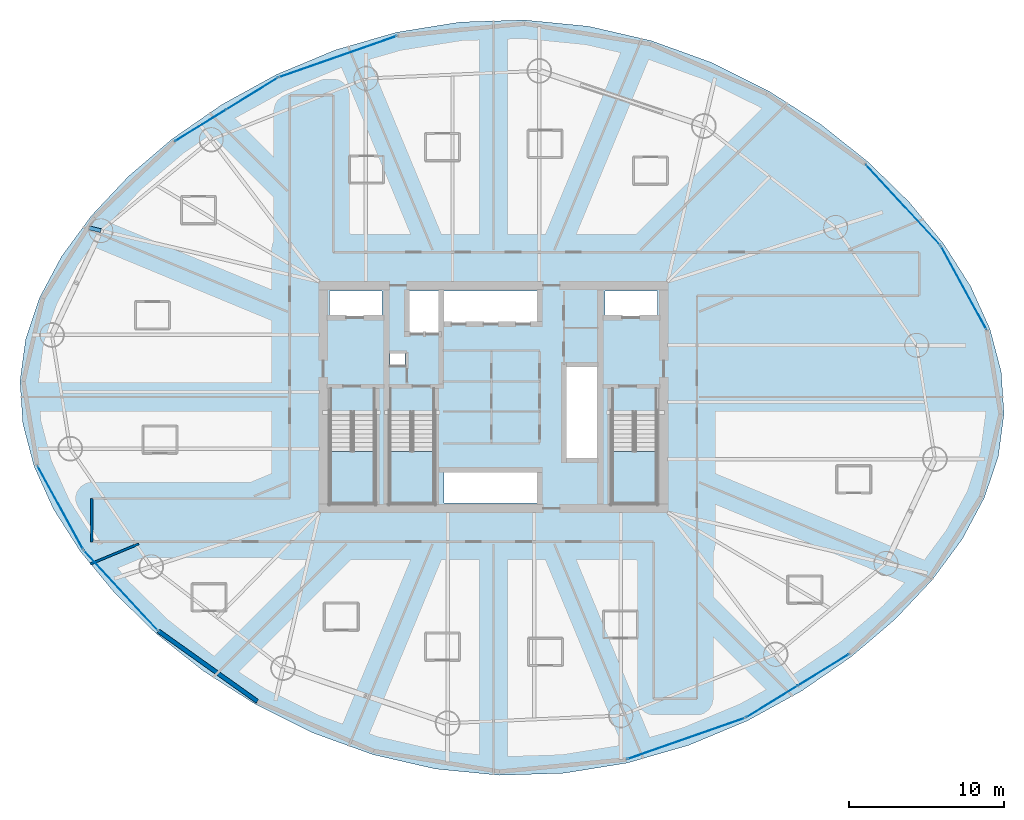
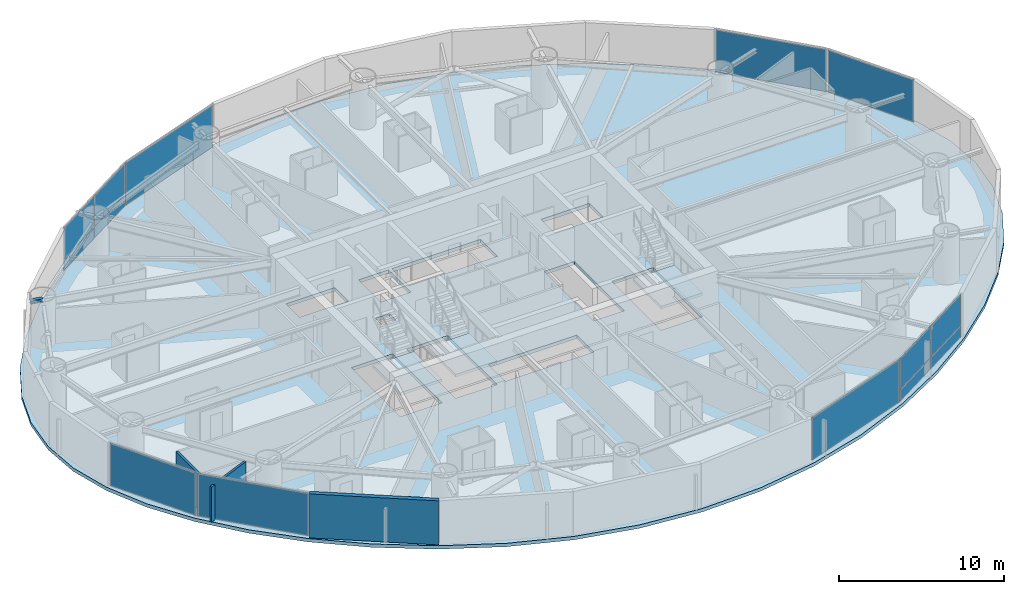
# One storey, part 17 of 27: 14 plates, 4 slabs, 3 walls, 1 beam, 11 elements without a shape of their own.
"""IFC4 building model written with IfcOpenShell, lengths in metres."""

import ifcopenshell
import ifcopenshell.guid

model = None  # the IFC model being written
_history = None  # IfcOwnerHistory: only IFC2X3 demands one
_inside = {}  # id of a spatial element -> (the spatial element, [elements in it])
_under = {}  # id of a project, library or spatial element -> (it, [spatial elements below it])
_declared = {}  # id of a project -> (the project, [libraries it declares])
_typed = {}  # id of a type object -> (the type object, [elements of that type])
_made_of = {}  # id of a material, layer set ... -> (it, [elements and type objects made of it])


def new_model(schema):
    """Start an empty IFC model of exactly this schema.

    Asked for "IFC4X3", IfcOpenShell would pick the latest addendum, in which some entities
    have other attributes; the version numbers below select the first issue.
    IFC2X3 requires an IfcOwnerHistory on every rooted entity: one is made here for all.
    """
    global model, _history
    if schema == "IFC4X3":
        model = ifcopenshell.file(schema_version=(4, 3, 0, 0))
    else:
        model = ifcopenshell.file(schema=schema)
    _inside.clear()
    _under.clear()
    _declared.clear()
    _typed.clear()
    _made_of.clear()
    _history = None
    if model.schema == "IFC2X3":
        org = make("IfcOrganization", Name="unknown")
        user = make(
            "IfcPersonAndOrganization",
            ThePerson=make("IfcPerson", FamilyName="unknown"),
            TheOrganization=org,
        )
        app = make(
            "IfcApplication",
            ApplicationDeveloper=org,
            Version="unknown",
            ApplicationFullName="unknown",
            ApplicationIdentifier="unknown",
        )
        _history = make(
            "IfcOwnerHistory",
            OwningUser=user,
            OwningApplication=app,
            ChangeAction="ADDED",
            CreationDate=0,
        )
    return model


def make(cls, **values):
    """One entity of the class cls with the attributes given. An attribute that is None is left unset."""
    return model.create_entity(
        cls, **{name: value for name, value in values.items() if value is not None}
    )


def rooted(cls, **values):
    """An entity with a GlobalId (a new one), such as an element, a storey or a relation."""
    return make(cls, GlobalId=ifcopenshell.guid.new(), OwnerHistory=_history, **values)


def si_unit(unit_type, name, prefix=None):
    """IfcSIUnit, for example si_unit("LENGTHUNIT", "METRE", prefix="MILLI")."""
    return make("IfcSIUnit", UnitType=unit_type, Prefix=prefix, Name=name)


def assignment(units):
    """IfcUnitAssignment: the units of a project."""
    return None if units is None else make("IfcUnitAssignment", Units=units)


def point(xyz):
    """IfcCartesianPoint."""
    return None if xyz is None else make("IfcCartesianPoint", Coordinates=xyz)


def direction(xyz):
    """IfcDirection."""
    return None if xyz is None else make("IfcDirection", DirectionRatios=xyz)


def frame(location, z_axis=None, x_axis=None):
    """IfcAxis2Placement3D, a coordinate frame: its origin and axes. An axis left out is left unset."""
    return make(
        "IfcAxis2Placement3D",
        Location=point(location),
        Axis=direction(z_axis),
        RefDirection=direction(x_axis),
    )


def frame_2d(location, x_axis=None):
    """IfcAxis2Placement2D, a coordinate frame in the plane: its origin and x axis."""
    return make(
        "IfcAxis2Placement2D", Location=point(location), RefDirection=direction(x_axis)
    )


def origin():
    """The frame at (0, 0, 0) with its axes left unset."""
    return frame((0.0, 0.0, 0.0))


def origin_2d():
    """The frame at (0, 0) in the plane with its x axis left unset."""
    return frame_2d((0.0, 0.0))


def place(relative_to, where):
    """IfcLocalPlacement: puts the frame where relative to a parent placement (None: the world)."""
    return make(
        "IfcLocalPlacement", PlacementRelTo=relative_to, RelativePlacement=where
    )


def context(
    kind, dimensions, precision=None, world=None, true_north=None, identifier=None
):
    """IfcGeometricRepresentationContext, for example the 3D "Model" context."""
    return make(
        "IfcGeometricRepresentationContext",
        ContextIdentifier=identifier,
        ContextType=kind,
        CoordinateSpaceDimension=dimensions,
        Precision=precision,
        WorldCoordinateSystem=world,
        TrueNorth=true_north,
    )


def subcontext(parent, identifier, kind, view, scale=None):
    """IfcGeometricRepresentationSubContext, for example "Body" below "Model"."""
    return make(
        "IfcGeometricRepresentationSubContext",
        ContextIdentifier=identifier,
        ContextType=kind,
        ParentContext=parent,
        TargetScale=scale,
        TargetView=view,
    )


def project(units=None, contexts=None):
    """IfcProject with its units and contexts."""
    return rooted(
        "IfcProject",
        Name="project",
        RepresentationContexts=contexts,
        UnitsInContext=assignment(units),
    )


def spatial(cls, under=None, at=None, **own):
    """A site, building, storey or space (cls), placed at a placement, below another one or the project."""
    s = rooted(cls, ObjectPlacement=at, **own)
    if under is not None:
        _under.setdefault(under.id(), (under, []))[1].append(s)
    return s


def polyline(points):
    """IfcPolyline through the points."""
    return make("IfcPolyline", Points=[point(p) for p in points])


def profile(cls, at=None, kind="AREA", **sizes):
    """A parametric profile (cls). Its sizes go by their IFC names, for example OverallWidth=200.0."""
    return make(cls, ProfileType=kind, Position=at, **sizes)


def rectangle(**sizes):
    """IfcRectangleProfileDef."""
    return profile("IfcRectangleProfileDef", **sizes)


def i_section(**sizes):
    """IfcIShapeProfileDef."""
    return profile("IfcIShapeProfileDef", **sizes)


def outline(outer, holes=None, kind="AREA"):
    """IfcArbitraryClosedProfileDef: a profile drawn as a closed curve; with holes, ...WithVoids."""
    if holes is None:
        return make("IfcArbitraryClosedProfileDef", ProfileType=kind, OuterCurve=outer)
    return make(
        "IfcArbitraryProfileDefWithVoids",
        ProfileType=kind,
        OuterCurve=outer,
        InnerCurves=holes,
    )


def extrude(swept, where, along, depth):
    """IfcExtrudedAreaSolid: the profile swept, set in the frame where, extruded along a direction by depth."""
    return make(
        "IfcExtrudedAreaSolid",
        SweptArea=swept,
        Position=where,
        ExtrudedDirection=direction(along),
        Depth=depth,
    )


def shape(context_of_items, identifier, shape_type, items):
    """IfcShapeRepresentation: the items that make up one representation, for example the "Body"."""
    return make(
        "IfcShapeRepresentation",
        ContextOfItems=context_of_items,
        RepresentationIdentifier=identifier,
        RepresentationType=shape_type,
        Items=items,
    )


def material(Name=None, Category=None):
    """IfcMaterial."""
    return make("IfcMaterial", Name=Name, Category=Category)


def layer(
    of_material, thickness, ventilated=None, Name=None, Category=None, Priority=None
):
    """IfcMaterialLayer: one layer of a wall or slab, of a material (None: an air gap)."""
    return make(
        "IfcMaterialLayer",
        Material=of_material,
        LayerThickness=thickness,
        IsVentilated=ventilated,
        Name=Name,
        Category=Category,
        Priority=Priority,
    )


def layer_set(layers, Name=None):
    """IfcMaterialLayerSet."""
    return make("IfcMaterialLayerSet", MaterialLayers=layers, LayerSetName=Name)


def material_profile(
    of_material, cross_section, Name=None, Category=None, Priority=None
):
    """IfcMaterialProfile: a cross section and its material."""
    return make(
        "IfcMaterialProfile",
        Name=Name,
        Material=of_material,
        Profile=cross_section,
        Priority=Priority,
        Category=Category,
    )


def profile_set(profiles, Name=None, composite=None):
    """IfcMaterialProfileSet."""
    return make(
        "IfcMaterialProfileSet",
        Name=Name,
        MaterialProfiles=profiles,
        CompositeProfile=composite,
    )


def made_of(thing, what):
    """Note that an element or type object is made of a material, layer set ...; save() writes the relation."""
    if what is not None:
        _made_of.setdefault(what.id(), (what, []))[1].append(thing)
    return thing


def type_object(cls, material=None, **own):
    """A type object (cls), such as IfcWallType, which elements share."""
    return made_of(rooted(cls, **own), material)


def element(
    cls,
    number,
    at=None,
    inside=None,
    cuts=None,
    type_object=None,
    material=None,
    context=None,
    identifier="Body",
    shape_type=None,
    held_by="IfcProductDefinitionShape",
    body=None,
    shapes=None,
    **own,
):
    """One element of the class cls, such as IfcWall. Its Tag is "e" and its number.

    at: its placement. inside: the storey or other place that contains it. cuts: it is an
    opening in that element (IfcRelVoidsElement). A single representation is given by context,
    identifier, shape_type and body (its items); several are given by shapes. held_by: the class
    of the entity that holds the representations. save() writes the other relations.
    """
    e = rooted(cls, Tag="e%d" % number, ObjectPlacement=at, **own)
    if body is not None:
        shapes = [shape(context, identifier, shape_type, body)]
    if shapes is not None:
        e.Representation = make(held_by, Representations=shapes)
    if inside is not None:
        _inside.setdefault(inside.id(), (inside, []))[1].append(e)
    if cuts is not None:
        rooted(
            "IfcRelVoidsElement", RelatingBuildingElement=cuts, RelatedOpeningElement=e
        )
    if type_object is not None:
        _typed.setdefault(type_object.id(), (type_object, []))[1].append(e)
    return made_of(e, material)


def aggregate(whole, parts):
    """IfcRelAggregates: a whole, such as a stair, and the parts it consists of."""
    return rooted("IfcRelAggregates", RelatingObject=whole, RelatedObjects=parts)


def save(model, path):
    """Write the relations noted so far, then the file.

    IfcRelAggregates (storeys below a building ...), IfcRelContainedInSpatialStructure (elements
    in a storey), IfcRelDefinesByType, IfcRelAssociatesMaterial and IfcRelDeclares: one each for
    every whole, place, type object, material and project.
    """
    for whole, parts in _under.values():
        aggregate(whole, parts)
    for where, things in _inside.values():
        rooted(
            "IfcRelContainedInSpatialStructure",
            RelatedElements=things,
            RelatingStructure=where,
        )
    for kind, things in _typed.values():
        rooted("IfcRelDefinesByType", RelatedObjects=things, RelatingType=kind)
    for what, things in _made_of.values():
        rooted("IfcRelAssociatesMaterial", RelatedObjects=things, RelatingMaterial=what)
    for by, libraries in _declared.values():
        rooted("IfcRelDeclares", RelatingContext=by, RelatedDefinitions=libraries)
    model.write(path)


model = new_model("IFC4")

# Units and contexts
model_context = context("Model", 3, precision=1e-05, world=origin(), true_north=direction((0.0, 1.0)))
body_context = subcontext(model_context, "Body", "Model", "MODEL_VIEW")
ifc_project = project(units=[si_unit("LENGTHUNIT", "METRE"), si_unit("AREAUNIT", "SQUARE_METRE"), si_unit("VOLUMEUNIT", "CUBIC_METRE"), si_unit("PLANEANGLEUNIT", "RADIAN"), si_unit("MASSUNIT", "GRAM", prefix="KILO")], contexts=[model_context])

# Site, building, storey
site_placement = place(None, origin())
site = spatial("IfcSite", under=ifc_project, at=site_placement, CompositionType="ELEMENT")
building_placement = place(site_placement, origin())
building = spatial("IfcBuilding", under=site, at=building_placement, Name="Bramvorn Convention Spire", CompositionType="ELEMENT")
storey_placement = place(building_placement, frame((0.0, 0.0, 44.89990234375)))
storey = spatial("IfcBuildingStorey", under=building, at=storey_placement, Name="L08", CompositionType="ELEMENT", Elevation=44.89990234375)

# Beam
ifc_material_1 = material(Name="Steel CSA G40.21 Grade 350 (350W)", Category="steel")
ifc_material_profile = material_profile(ifc_material_1, i_section(OverallWidth=0.25390625, OverallDepth=0.2529296875, WebThickness=0.008544921875, FlangeThickness=0.01416015625, FilletRadius=0.011962890625, at=origin_2d()))
ifc_profile_set = profile_set([ifc_material_profile], Name="Steel CSA G40.21 Grade 350 (350W) - W250X73")
beam_type = type_object("IfcBeamType", Name="BM-W250X73", PredefinedType="BEAM", material=ifc_profile_set)
beam_placement = place(storey_placement, frame((12.64111328125, 36.746337890625, 3.12353515625), z_axis=(-0.973811938355, 0.227355027914, 0.0), x_axis=(-0.227355027914, -0.973811938355, 0.0)))
element("IfcBeam", 1, at=beam_placement, inside=storey, type_object=beam_type, Name="L08 slab-edge cantilever tip beam MC08", PredefinedType="BEAM", context=body_context, shape_type="SweptSolid", body=[
    extrude(i_section(OverallWidth=0.25390625, OverallDepth=0.2529296875, WebThickness=0.008544921875, FlangeThickness=0.01416015625, FilletRadius=0.011962890625, at=origin_2d()), origin(), (0.0, 0.0, 1.0), 0.800048828125),
])

# Curtain wall, plate
ifc_material_2 = material(Name="Anodised Bronze Unitised Curtain Wall", Category="aluminium")
ifc_layer_1 = layer(ifc_material_2, 0.179931640625)
ifc_layer_set_1 = layer_set([ifc_layer_1], Name="Anodised Bronze Unitised Curtain Wall - CW-HTL-FRIT")
curtain_wall_type = type_object("IfcCurtainWallType", Name="CW-HTL-FRIT", PredefinedType="USERDEFINED", material=ifc_layer_set_1)
curtain_wall_1_placement = place(storey_placement, origin())
curtain_wall_1 = element("IfcCurtainWall", 2, at=curtain_wall_1_placement, inside=storey, type_object=curtain_wall_type, Name="L08 fritted glass curtain wall 02", ObjectType="UNITISED CURTAIN WALL", PredefinedType="USERDEFINED")
ifc_material_3 = material(Name="Laminated Low-E Glass (Triple IGU Bronze Ceramic Frit 35%)", Category="glass")
ifc_layer_2 = layer(ifc_material_3, 0.035888671875)
ifc_layer_set_2 = layer_set([ifc_layer_2], Name="Laminated Low-E Glass (Triple IGU Bronze Ceramic Frit 35%) - PNL-IGU-1")
plate_type = type_object("IfcPlateType", Name="PNL-IGU-1", PredefinedType="CURTAIN_PANEL", material=ifc_layer_set_2)
plate_1_placement = place(storey_placement, frame((68.37744140625, 33.0634765625, 0.06005859375), z_axis=(0.0, 0.0, 1.0), x_axis=(0.479005513674, -0.877811892076, 0.0)))
plate_1 = element("IfcPlate", 3, at=plate_1_placement, type_object=plate_type, Name="CW2 panel 1.1", PredefinedType="CURTAIN_PANEL", context=body_context, shape_type="SweptSolid", body=[
    extrude(rectangle(XDim=6.092041015625, YDim=0.028076171875, at=origin_2d()), origin(), (0.0, 0.0, 1.0), 3.1298828125),
])
aggregate(curtain_wall_1, [plate_1])

curtain_wall_2_placement = place(storey_placement, origin())
curtain_wall_2 = element("IfcCurtainWall", 4, at=curtain_wall_2_placement, inside=storey, type_object=curtain_wall_type, Name="L08 fritted glass curtain wall 03", ObjectType="UNITISED CURTAIN WALL", PredefinedType="USERDEFINED")
plate_2_placement = place(storey_placement, frame((64.4658203125, 38.4130859375, 0.06005859375), z_axis=(0.0, 0.0, 1.0), x_axis=(0.678632393484, -0.734478096687, 0.0)))
plate_2 = element("IfcPlate", 5, at=plate_2_placement, type_object=plate_type, Name="CW2 panel 1.1", PredefinedType="CURTAIN_PANEL", context=body_context, shape_type="SweptSolid", body=[
    extrude(rectangle(XDim=7.02294921875, YDim=0.028076171875, at=origin_2d()), origin(), (0.0, 0.0, 1.0), 3.1298828125),
])
aggregate(curtain_wall_2, [plate_2])

curtain_wall_3_placement = place(storey_placement, origin())
curtain_wall_3 = element("IfcCurtainWall", 6, at=curtain_wall_3_placement, inside=storey, type_object=curtain_wall_type, Name="L08 fritted glass curtain wall 08", ObjectType="UNITISED CURTAIN WALL", PredefinedType="USERDEFINED")
plate_3_placement = place(storey_placement, frame((27.94140625, 47.981689453125, 0.06005859375), z_axis=(0.0, 0.0, 1.0), x_axis=(0.94365363359, 0.330934766704, 0.0)))
plate_3 = element("IfcPlate", 7, at=plate_3_placement, type_object=plate_type, Name="CW2 panel 1.1", PredefinedType="CURTAIN_PANEL", context=body_context, shape_type="SweptSolid", body=[
    extrude(rectangle(XDim=8.05078125, YDim=0.028076171875, at=origin_2d()), origin(), (0.0, 0.0, 1.0), 3.1298828125),
])
aggregate(curtain_wall_3, [plate_3])

# Curtain wall, plates
curtain_wall_4_placement = place(storey_placement, origin())
curtain_wall_4 = element("IfcCurtainWall", 8, at=curtain_wall_4_placement, inside=storey, type_object=curtain_wall_type, Name="L08 fritted glass curtain wall 09", ObjectType="UNITISED CURTAIN WALL", PredefinedType="USERDEFINED")
plate_4_placement = place(storey_placement, frame((19.0888671875, 43.552978515625, 0.06005859375), z_axis=(0.0, 0.0, 1.0), x_axis=(0.851562452437, 0.52425317319, 0.0)))
plate_4 = element("IfcPlate", 9, at=plate_4_placement, type_object=plate_type, Name="CW2 panel 1.1", PredefinedType="CURTAIN_PANEL", context=body_context, shape_type="SweptSolid", body=[
    extrude(rectangle(XDim=3.83251953125, YDim=0.028076171875, at=origin_2d()), origin(), (0.0, 0.0, 1.0), 0.81005859375),
])
plate_5_placement = place(storey_placement, frame((19.0888671875, 43.552978515625, 0.93017578125), z_axis=(0.0, 0.0, 1.0), x_axis=(0.851562452437, 0.52425317319, 0.0)))
plate_5 = element("IfcPlate", 10, at=plate_5_placement, type_object=plate_type, Name="CW2 panel 1.2", PredefinedType="CURTAIN_PANEL", context=body_context, shape_type="SweptSolid", body=[
    extrude(rectangle(XDim=3.83251953125, YDim=0.028076171875, at=origin_2d()), origin(), (0.0, 0.0, 1.0), 2.260009765625),
])
plate_6_placement = place(storey_placement, frame((22.4033203125, 45.593505859375, 0.06005859375), z_axis=(0.0, 0.0, 1.0), x_axis=(0.851562452437, 0.52425317319, 0.0)))
plate_6 = element("IfcPlate", 11, at=plate_6_placement, type_object=plate_type, Name="CW2 panel 2.1", PredefinedType="CURTAIN_PANEL", context=body_context, shape_type="SweptSolid", body=[
    extrude(rectangle(XDim=3.83251953125, YDim=0.028076171875, at=origin_2d()), origin(), (0.0, 0.0, 1.0), 0.81005859375),
])
plate_7_placement = place(storey_placement, frame((22.4033203125, 45.593505859375, 0.93017578125), z_axis=(0.0, 0.0, 1.0), x_axis=(0.851562452437, 0.52425317319, 0.0)))
plate_7 = element("IfcPlate", 12, at=plate_7_placement, type_object=plate_type, Name="CW2 panel 2.2", PredefinedType="CURTAIN_PANEL", context=body_context, shape_type="SweptSolid", body=[
    extrude(rectangle(XDim=3.83251953125, YDim=0.028076171875, at=origin_2d()), origin(), (0.0, 0.0, 1.0), 2.260009765625),
])
aggregate(curtain_wall_4, [plate_4, plate_5, plate_6, plate_7])

# Curtain wall, plate
curtain_wall_5_placement = place(storey_placement, origin())
curtain_wall_5 = element("IfcCurtainWall", 13, at=curtain_wall_5_placement, inside=storey, type_object=curtain_wall_type, Name="L08 fritted glass curtain wall 14", ObjectType="UNITISED CURTAIN WALL", PredefinedType="USERDEFINED")
plate_8_placement = place(storey_placement, frame((10.021240234375, 18.85693359375, 0.06005859375), z_axis=(0.0, 0.0, 1.0), x_axis=(-0.479017917731, 0.877805123301, 0.0)))
plate_8 = element("IfcPlate", 14, at=plate_8_placement, type_object=plate_type, Name="CW2 panel 1.1", PredefinedType="CURTAIN_PANEL", context=body_context, shape_type="SweptSolid", body=[
    extrude(rectangle(XDim=6.092041015625, YDim=0.028076171875, at=origin_2d()), origin(), (0.0, 0.0, 1.0), 3.1298828125),
])
aggregate(curtain_wall_5, [plate_8])

curtain_wall_6_placement = place(storey_placement, origin())
curtain_wall_6 = element("IfcCurtainWall", 15, at=curtain_wall_6_placement, inside=storey, type_object=curtain_wall_type, Name="L08 fritted glass curtain wall 15", ObjectType="UNITISED CURTAIN WALL", PredefinedType="USERDEFINED")
plate_9_placement = place(storey_placement, frame((13.932861328125, 13.50732421875, 0.06005859375), z_axis=(0.0, 0.0, 1.0), x_axis=(-0.678632393484, 0.734478096687, 0.0)))
plate_9 = element("IfcPlate", 16, at=plate_9_placement, type_object=plate_type, Name="CW2 panel 1.1", PredefinedType="CURTAIN_PANEL", context=body_context, shape_type="SweptSolid", body=[
    extrude(rectangle(XDim=7.02294921875, YDim=0.028076171875, at=origin_2d()), origin(), (0.0, 0.0, 1.0), 3.1298828125),
])
aggregate(curtain_wall_6, [plate_9])

curtain_wall_7_placement = place(storey_placement, origin())
curtain_wall_7 = element("IfcCurtainWall", 17, at=curtain_wall_7_placement, inside=storey, type_object=curtain_wall_type, Name="L08 fritted glass curtain wall 20", ObjectType="UNITISED CURTAIN WALL", PredefinedType="USERDEFINED")
plate_10_placement = place(storey_placement, frame((50.457275390625, 3.93896484375, 0.06005859375), z_axis=(0.0, 0.0, 1.0), x_axis=(-0.943649811538, -0.330945665004, 0.0)))
plate_10 = element("IfcPlate", 18, at=plate_10_placement, type_object=plate_type, Name="CW2 panel 1.1", PredefinedType="CURTAIN_PANEL", context=body_context, shape_type="SweptSolid", body=[
    extrude(rectangle(XDim=8.05078125, YDim=0.028076171875, at=origin_2d()), origin(), (0.0, 0.0, 1.0), 3.1298828125),
])
aggregate(curtain_wall_7, [plate_10])

# Curtain wall, plates
curtain_wall_8_placement = place(storey_placement, origin())
curtain_wall_8 = element("IfcCurtainWall", 19, at=curtain_wall_8_placement, inside=storey, type_object=curtain_wall_type, Name="L08 fritted glass curtain wall 21", ObjectType="UNITISED CURTAIN WALL", PredefinedType="USERDEFINED")
plate_11_placement = place(storey_placement, frame((59.309814453125, 8.367431640625, 0.06005859375), z_axis=(0.0, 0.0, 1.0), x_axis=(-0.851568143204, -0.524243929369, 0.0)))
plate_11 = element("IfcPlate", 20, at=plate_11_placement, type_object=plate_type, Name="CW2 panel 1.1", PredefinedType="CURTAIN_PANEL", context=body_context, shape_type="SweptSolid", body=[
    extrude(rectangle(XDim=3.83251953125, YDim=0.028076171875, at=origin_2d()), origin(), (0.0, 0.0, 1.0), 0.81005859375),
])
plate_12_placement = place(storey_placement, frame((59.309814453125, 8.367431640625, 0.93017578125), z_axis=(0.0, 0.0, 1.0), x_axis=(-0.851568143204, -0.524243929369, 0.0)))
plate_12 = element("IfcPlate", 21, at=plate_12_placement, type_object=plate_type, Name="CW2 panel 1.2", PredefinedType="CURTAIN_PANEL", context=body_context, shape_type="SweptSolid", body=[
    extrude(rectangle(XDim=3.83251953125, YDim=0.028076171875, at=origin_2d()), origin(), (0.0, 0.0, 1.0), 2.260009765625),
])
plate_13_placement = place(storey_placement, frame((55.995361328125, 6.326904296875, 0.06005859375), z_axis=(0.0, 0.0, 1.0), x_axis=(-0.851568143204, -0.524243929369, 0.0)))
plate_13 = element("IfcPlate", 22, at=plate_13_placement, type_object=plate_type, Name="CW2 panel 2.1", PredefinedType="CURTAIN_PANEL", context=body_context, shape_type="SweptSolid", body=[
    extrude(rectangle(XDim=3.83251953125, YDim=0.028076171875, at=origin_2d()), origin(), (0.0, 0.0, 1.0), 0.81005859375),
])
plate_14_placement = place(storey_placement, frame((55.995361328125, 6.326904296875, 0.93017578125), z_axis=(0.0, 0.0, 1.0), x_axis=(-0.851568143204, -0.524243929369, 0.0)))
plate_14 = element("IfcPlate", 23, at=plate_14_placement, type_object=plate_type, Name="CW2 panel 2.2", PredefinedType="CURTAIN_PANEL", context=body_context, shape_type="SweptSolid", body=[
    extrude(rectangle(XDim=3.83251953125, YDim=0.028076171875, at=origin_2d()), origin(), (0.0, 0.0, 1.0), 2.260009765625),
])
aggregate(curtain_wall_8, [plate_11, plate_12, plate_13, plate_14])

# Stair, slab
ifc_material_4 = material(Name="Concrete C40/50 Precast Stair", Category="concrete")
stair_type = type_object("IfcStairType", Name="ST-TOWER-1550", PredefinedType="HALF_TURN_STAIR", material=ifc_material_4)
stair_1_placement = place(storey_placement, origin())
stair_1 = element("IfcStair", 24, at=stair_1_placement, inside=storey, type_object=stair_type, Name="L08 Protected Exit Stair ST1", PredefinedType="HALF_TURN_STAIR")
ifc_material_5 = material(Name="Concrete C40/50 Stair Landing", Category="concrete")
ifc_layer_3 = layer(ifc_material_5, 0.219970703125)
ifc_layer_set_3 = layer_set([ifc_layer_3], Name="Concrete C40/50 Stair Landing - SLB-STAIR-LANDING")
slab_type_1 = type_object("IfcSlabType", Name="SLB-STAIR-LANDING", PredefinedType="LANDING", material=ifc_layer_set_3)
slab_1_placement = place(storey_placement, frame((0.0, 0.0, 1.550048828125)))
slab_1 = element("IfcSlab", 25, at=slab_1_placement, type_object=slab_type_1, Name="ST1 landing 1", PredefinedType="LANDING", context=body_context, shape_type="SweptSolid", body=[
    extrude(outline(polyline([(27.449951171875, 22.485107421875), (27.449951171875, 19.10009765625), (30.35009765625, 19.10009765625), (30.35009765625, 22.485107421875), (27.449951171875, 22.485107421875)])), origin(), (0.0, 0.0, 1.0), 0.199951171875),
])
aggregate(stair_1, [slab_1])

stair_2_placement = place(storey_placement, origin())
stair_2 = element("IfcStair", 26, at=stair_2_placement, inside=storey, type_object=stair_type, Name="L08 Protected Exit Stair ST2", PredefinedType="HALF_TURN_STAIR")
slab_2_placement = place(storey_placement, frame((0.0, 0.0, 1.550048828125)))
slab_2 = element("IfcSlab", 27, at=slab_2_placement, type_object=slab_type_1, Name="ST2 landing 1", PredefinedType="LANDING", context=body_context, shape_type="SweptSolid", body=[
    extrude(outline(polyline([(45.64990234375, 22.485107421875), (45.64990234375, 19.10009765625), (48.550048828125, 19.10009765625), (48.550048828125, 22.485107421875), (45.64990234375, 22.485107421875)])), origin(), (0.0, 0.0, 1.0), 0.199951171875),
])
aggregate(stair_2, [slab_2])

stair_3_placement = place(storey_placement, origin())
stair_3 = element("IfcStair", 28, at=stair_3_placement, inside=storey, type_object=stair_type, Name="L08 Protected Exit Stair ST3", PredefinedType="HALF_TURN_STAIR")
slab_3_placement = place(storey_placement, frame((0.0, 0.0, 1.550048828125)))
slab_3 = element("IfcSlab", 29, at=slab_3_placement, type_object=slab_type_1, Name="ST3 landing 1", PredefinedType="LANDING", context=body_context, shape_type="SweptSolid", body=[
    extrude(outline(polyline([(31.300048828125, 22.485107421875), (31.300048828125, 19.10009765625), (34.199951171875, 19.10009765625), (34.199951171875, 22.485107421875), (31.300048828125, 22.485107421875)])), origin(), (0.0, 0.0, 1.0), 0.199951171875),
])
aggregate(stair_3, [slab_3])

# Slab
ifc_material_6 = material(Name="Concrete C50/60", Category="concrete")
ifc_layer_4 = layer(ifc_material_6, 0.25)
ifc_layer_set_4 = layer_set([ifc_layer_4], Name="Concrete C50/60 - SLB-Z1-250")
slab_type_2 = type_object("IfcSlabType", Name="SLB-Z1-250", PredefinedType="FLOOR", material=ifc_layer_set_4)
slab_4_placement = place(storey_placement, frame((0.0, 0.0, -0.25)))
element("IfcSlab", 30, at=slab_4_placement, inside=storey, type_object=slab_type_2, Name="L08 tower floor slab", PredefinedType="FLOOR", context=body_context, shape_type="SweptSolid", body=[
    extrude(outline(polyline([(70.98193359375, 24.906005859375), (70.80029296875, 27.63525390625), (70.079345703125, 30.3828125), (68.8330078125, 33.14111328125), (67.08349609375, 35.88916015625), (64.86083984375, 38.589599609375), (62.202880859375, 41.1865234375), (59.154052734375, 43.609375), (55.765380859375, 45.77685546875), (52.093505859375, 47.60546875), (48.19921875, 49.016845703125), (44.148193359375, 49.947509765625), (40.008544921875, 50.354736328125), (35.851318359375, 50.22265625), (31.747314453125, 49.5625), (27.76806640625, 48.412353515625), (23.98291015625, 46.831298828125), (20.4580078125, 44.89306640625), (17.255615234375, 42.677490234375), (14.431396484375, 40.262451171875), (12.034423828125, 37.71533203125), (10.106689453125, 35.089111328125), (8.680419921875, 32.419677734375), (7.779052734375, 29.72607421875), (7.416748046875, 27.014404296875), (7.598388671875, 24.28515625), (8.3193359375, 21.53759765625), (9.565673828125, 18.779296875), (11.315185546875, 16.03125), (13.537841796875, 13.330810546875), (16.19580078125, 10.73388671875), (19.24462890625, 8.31103515625), (22.63330078125, 6.1435546875), (26.305419921875, 4.31494140625), (30.199462890625, 2.903564453125), (34.25048828125, 1.972900390625), (38.39013671875, 1.565673828125), (42.547607421875, 1.69775390625), (46.6513671875, 2.35791015625), (50.630615234375, 3.508056640625), (54.415771484375, 5.089111328125), (57.9404296875, 7.02734375), (61.14306640625, 9.242919921875), (63.96728515625, 11.657958984375), (66.364013671875, 14.205078125), (68.2919921875, 16.831298828125), (69.718505859375, 19.500732421875), (70.61962890625, 22.194580078125), (70.98193359375, 24.906005859375)]), holes=[polyline([(27.449951171875, 25.050048828125), (27.449951171875, 19.10009765625), (30.35009765625, 19.10009765625), (30.35009765625, 25.050048828125), (27.449951171875, 25.050048828125)]), polyline([(45.64990234375, 25.050048828125), (45.64990234375, 19.10009765625), (48.550048828125, 19.10009765625), (48.550048828125, 25.050048828125), (45.64990234375, 25.050048828125)]), polyline([(31.300048828125, 25.050048828125), (31.300048828125, 19.10009765625), (34.199951171875, 19.10009765625), (34.199951171875, 25.050048828125), (31.300048828125, 25.050048828125)]), polyline([(27.39990234375, 31.219970703125), (30.800048828125, 31.219970703125), (30.800048828125, 32.85009765625), (27.39990234375, 32.85009765625), (27.39990234375, 31.219970703125)]), polyline([(45.199951171875, 31.219970703125), (48.60009765625, 31.219970703125), (48.60009765625, 32.85009765625), (45.199951171875, 32.85009765625), (45.199951171875, 31.219970703125)]), polyline([(32.449951171875, 30.14990234375), (34.56005859375, 30.14990234375), (34.56005859375, 32.85009765625), (32.449951171875, 32.85009765625), (32.449951171875, 30.14990234375)]), polyline([(34.800048828125, 30.800048828125), (40.97998046875, 30.800048828125), (40.97998046875, 32.85009765625), (34.800048828125, 32.85009765625), (34.800048828125, 30.800048828125)]), polyline([(34.800048828125, 19.14990234375), (40.97998046875, 19.14990234375), (40.97998046875, 21.199951171875), (34.800048828125, 21.199951171875), (34.800048828125, 19.14990234375)]), polyline([(42.6201171875, 22.0), (44.75, 22.0), (44.75, 28.0), (42.6201171875, 28.0), (42.6201171875, 22.0)]), polyline([(31.320068359375, 28.02001953125), (32.280029296875, 28.02001953125), (32.280029296875, 28.820068359375), (31.320068359375, 28.820068359375), (31.320068359375, 28.02001953125)])]), origin(), (0.0, 0.0, 1.0), 0.25),
])

# Walls
ifc_material_7 = material(Name="Precast Concrete C40/50 with Bronze Terracotta Rainscreen", Category="masonry")
ifc_layer_5 = layer(ifc_material_7, 0.300048828125)
ifc_layer_set_5 = layer_set([ifc_layer_5], Name="Precast Concrete C40/50 with Bronze Terracotta Rainscreen - WL-EXT-BRONZE-300")
wall_type_1 = type_object("IfcWallType", Name="WL-EXT-BRONZE-300", PredefinedType="SOLIDWALL", material=ifc_layer_set_5)
wall_1_placement = place(storey_placement, frame((22.749755859375, 6.337890625, 0.0), z_axis=(0.0, 0.0, 1.0), x_axis=(-0.814953364859, 0.579526542193, 0.0)))
element("IfcWall", 31, at=wall_1_placement, inside=storey, type_object=wall_type_1, Name="L08 expressed bronze Gothic lancet pier wall 16", PredefinedType="SOLIDWALL", context=body_context, shape_type="SweptSolid", body=[
    extrude(rectangle(XDim=7.844970703125, YDim=0.280029296875, at=frame_2d((3.92236328125, 0.0))), origin(), (0.0, 0.0, 1.0), 3.25),
])
ifc_material_8 = material(Name="Acoustic Metal-Stud Tenant/Corridor Partition", Category="gypsum")
ifc_layer_6 = layer(ifc_material_8, 0.14990234375)
ifc_layer_set_6 = layer_set([ifc_layer_6], Name="Acoustic Metal-Stud Tenant/Corridor Partition - WL-PART-150")
wall_type_2 = type_object("IfcWallType", Name="WL-PART-150", PredefinedType="PARTITIONING", material=ifc_layer_set_6)
wall_2_placement = place(storey_placement, frame((12.0458984375, 16.64990234375, 0.0), z_axis=(0.0, 0.0, 1.0), x_axis=(0.0, 1.0, 0.0)))
element("IfcWall", 32, at=wall_2_placement, inside=storey, type_object=wall_type_2, Name="L08 SW pinwheel end wall", PredefinedType="PARTITIONING", context=body_context, shape_type="SweptSolid", body=[
    extrude(rectangle(XDim=2.800048828125, YDim=0.14990234375, at=frame_2d((1.39990234375, 0.0))), origin(), (0.0, 0.0, 1.0), 2.60009765625),
])
wall_3_placement = place(storey_placement, frame((15.089111328125, 16.510009765625, 0.0), z_axis=(0.0, 0.0, 1.0), x_axis=(-0.923864318354, -0.382720160526, 0.0)))
element("IfcWall", 33, at=wall_3_placement, inside=storey, type_object=wall_type_2, Name="L08 Guestroom demising wall 10", PredefinedType="PARTITIONING", context=body_context, shape_type="SweptSolid", body=[
    extrude(rectangle(XDim=3.39501953125, YDim=0.14990234375, at=frame_2d((1.697509765625, 0.0))), origin(), (0.0, 0.0, 1.0), 2.60009765625),
])

save(model, "model.ifc")
